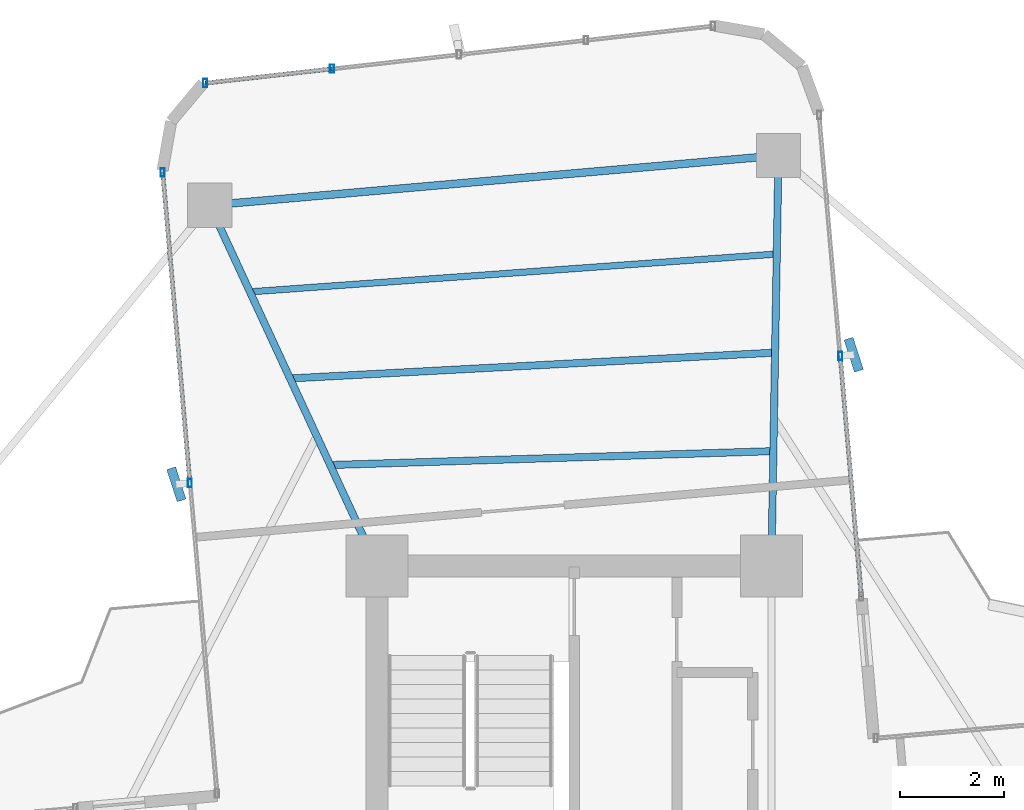
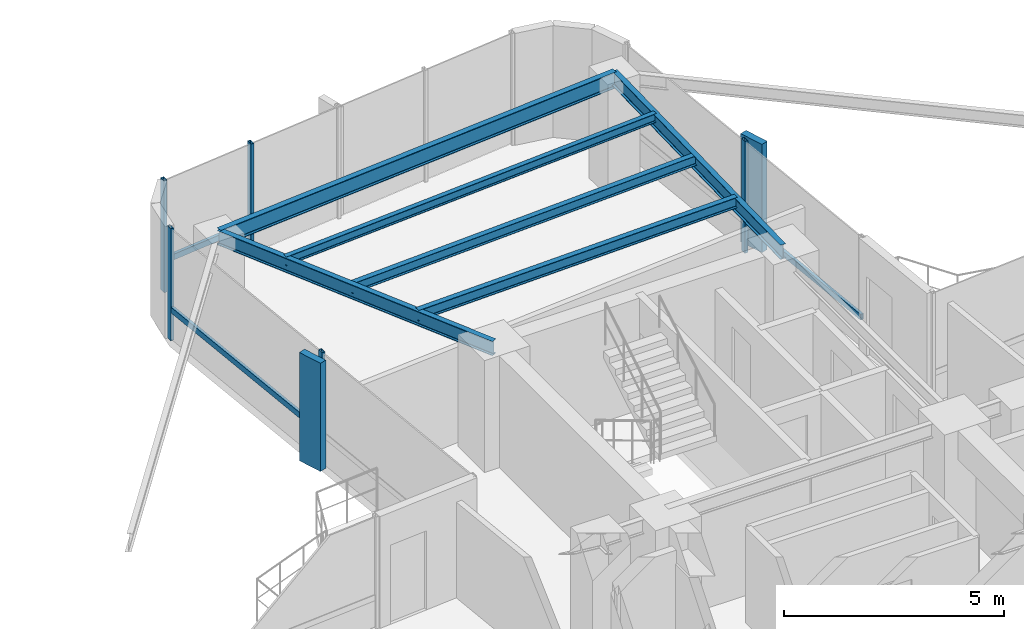
# One storey, part 16 of 24: 10 members, 6 beams, 3 elements without a shape of their own.
"""IFC4 building model written with IfcOpenShell, lengths in metres."""

import ifcopenshell
import ifcopenshell.guid

model = None  # the IFC model being written
_history = None  # IfcOwnerHistory: only IFC2X3 demands one
_inside = {}  # id of a spatial element -> (the spatial element, [elements in it])
_under = {}  # id of a project, library or spatial element -> (it, [spatial elements below it])
_declared = {}  # id of a project -> (the project, [libraries it declares])
_typed = {}  # id of a type object -> (the type object, [elements of that type])
_made_of = {}  # id of a material, layer set ... -> (it, [elements and type objects made of it])


def new_model(schema):
    """Start an empty IFC model of exactly this schema.

    Asked for "IFC4X3", IfcOpenShell would pick the latest addendum, in which some entities
    have other attributes; the version numbers below select the first issue.
    IFC2X3 requires an IfcOwnerHistory on every rooted entity: one is made here for all.
    """
    global model, _history
    if schema == "IFC4X3":
        model = ifcopenshell.file(schema_version=(4, 3, 0, 0))
    else:
        model = ifcopenshell.file(schema=schema)
    _inside.clear()
    _under.clear()
    _declared.clear()
    _typed.clear()
    _made_of.clear()
    _history = None
    if model.schema == "IFC2X3":
        org = make("IfcOrganization", Name="unknown")
        user = make(
            "IfcPersonAndOrganization",
            ThePerson=make("IfcPerson", FamilyName="unknown"),
            TheOrganization=org,
        )
        app = make(
            "IfcApplication",
            ApplicationDeveloper=org,
            Version="unknown",
            ApplicationFullName="unknown",
            ApplicationIdentifier="unknown",
        )
        _history = make(
            "IfcOwnerHistory",
            OwningUser=user,
            OwningApplication=app,
            ChangeAction="ADDED",
            CreationDate=0,
        )
    return model


def make(cls, **values):
    """One entity of the class cls with the attributes given. An attribute that is None is left unset."""
    return model.create_entity(
        cls, **{name: value for name, value in values.items() if value is not None}
    )


def rooted(cls, **values):
    """An entity with a GlobalId (a new one), such as an element, a storey or a relation."""
    return make(cls, GlobalId=ifcopenshell.guid.new(), OwnerHistory=_history, **values)


def si_unit(unit_type, name, prefix=None):
    """IfcSIUnit, for example si_unit("LENGTHUNIT", "METRE", prefix="MILLI")."""
    return make("IfcSIUnit", UnitType=unit_type, Prefix=prefix, Name=name)


def assignment(units):
    """IfcUnitAssignment: the units of a project."""
    return None if units is None else make("IfcUnitAssignment", Units=units)


def point(xyz):
    """IfcCartesianPoint."""
    return None if xyz is None else make("IfcCartesianPoint", Coordinates=xyz)


def direction(xyz):
    """IfcDirection."""
    return None if xyz is None else make("IfcDirection", DirectionRatios=xyz)


def frame(location, z_axis=None, x_axis=None):
    """IfcAxis2Placement3D, a coordinate frame: its origin and axes. An axis left out is left unset."""
    return make(
        "IfcAxis2Placement3D",
        Location=point(location),
        Axis=direction(z_axis),
        RefDirection=direction(x_axis),
    )


def frame_2d(location, x_axis=None):
    """IfcAxis2Placement2D, a coordinate frame in the plane: its origin and x axis."""
    return make(
        "IfcAxis2Placement2D", Location=point(location), RefDirection=direction(x_axis)
    )


def origin():
    """The frame at (0, 0, 0) with its axes left unset."""
    return frame((0.0, 0.0, 0.0))


def origin_2d():
    """The frame at (0, 0) in the plane with its x axis left unset."""
    return frame_2d((0.0, 0.0))


def place(relative_to, where):
    """IfcLocalPlacement: puts the frame where relative to a parent placement (None: the world)."""
    return make(
        "IfcLocalPlacement", PlacementRelTo=relative_to, RelativePlacement=where
    )


def context(
    kind, dimensions, precision=None, world=None, true_north=None, identifier=None
):
    """IfcGeometricRepresentationContext, for example the 3D "Model" context."""
    return make(
        "IfcGeometricRepresentationContext",
        ContextIdentifier=identifier,
        ContextType=kind,
        CoordinateSpaceDimension=dimensions,
        Precision=precision,
        WorldCoordinateSystem=world,
        TrueNorth=true_north,
    )


def subcontext(parent, identifier, kind, view, scale=None):
    """IfcGeometricRepresentationSubContext, for example "Body" below "Model"."""
    return make(
        "IfcGeometricRepresentationSubContext",
        ContextIdentifier=identifier,
        ContextType=kind,
        ParentContext=parent,
        TargetScale=scale,
        TargetView=view,
    )


def project(units=None, contexts=None):
    """IfcProject with its units and contexts."""
    return rooted(
        "IfcProject",
        Name="project",
        RepresentationContexts=contexts,
        UnitsInContext=assignment(units),
    )


def spatial(cls, under=None, at=None, **own):
    """A site, building, storey or space (cls), placed at a placement, below another one or the project."""
    s = rooted(cls, ObjectPlacement=at, **own)
    if under is not None:
        _under.setdefault(under.id(), (under, []))[1].append(s)
    return s


def profile(cls, at=None, kind="AREA", **sizes):
    """A parametric profile (cls). Its sizes go by their IFC names, for example OverallWidth=200.0."""
    return make(cls, ProfileType=kind, Position=at, **sizes)


def rectangle(**sizes):
    """IfcRectangleProfileDef."""
    return profile("IfcRectangleProfileDef", **sizes)


def hollow_rectangle(**sizes):
    """IfcRectangleHollowProfileDef."""
    return profile("IfcRectangleHollowProfileDef", **sizes)


def i_section(**sizes):
    """IfcIShapeProfileDef."""
    return profile("IfcIShapeProfileDef", **sizes)


def extrude(swept, where, along, depth):
    """IfcExtrudedAreaSolid: the profile swept, set in the frame where, extruded along a direction by depth."""
    return make(
        "IfcExtrudedAreaSolid",
        SweptArea=swept,
        Position=where,
        ExtrudedDirection=direction(along),
        Depth=depth,
    )


def shape(context_of_items, identifier, shape_type, items):
    """IfcShapeRepresentation: the items that make up one representation, for example the "Body"."""
    return make(
        "IfcShapeRepresentation",
        ContextOfItems=context_of_items,
        RepresentationIdentifier=identifier,
        RepresentationType=shape_type,
        Items=items,
    )


def source(mapping_origin, context_of_items, identifier, shape_type, items):
    """IfcRepresentationMap: a shape defined once, which mapped items show again and again."""
    return make(
        "IfcRepresentationMap",
        MappingOrigin=mapping_origin,
        MappedRepresentation=shape(context_of_items, identifier, shape_type, items),
    )


def transform(
    local_origin,
    x_axis=None,
    y_axis=None,
    z_axis=None,
    scale=None,
    scale2=None,
    scale3=None,
    uniform=True,
):
    """IfcCartesianTransformationOperator3D, or its non-uniform kind. x_axis, y_axis, z_axis: its Axis1, 2, 3."""
    if uniform:
        return make(
            "IfcCartesianTransformationOperator3D",
            Axis1=direction(x_axis),
            Axis2=direction(y_axis),
            LocalOrigin=point(local_origin),
            Scale=scale,
            Axis3=direction(z_axis),
        )
    return make(
        "IfcCartesianTransformationOperator3DnonUniform",
        Axis1=direction(x_axis),
        Axis2=direction(y_axis),
        LocalOrigin=point(local_origin),
        Scale=scale,
        Axis3=direction(z_axis),
        Scale2=scale2,
        Scale3=scale3,
    )


def mapped(mapping_source, mapping_target):
    """IfcMappedItem: shows the shape of a source again, moved by a transform."""
    return make(
        "IfcMappedItem", MappingSource=mapping_source, MappingTarget=mapping_target
    )


def material(Name=None, Category=None):
    """IfcMaterial."""
    return make("IfcMaterial", Name=Name, Category=Category)


def material_profile(
    of_material, cross_section, Name=None, Category=None, Priority=None
):
    """IfcMaterialProfile: a cross section and its material."""
    return make(
        "IfcMaterialProfile",
        Name=Name,
        Material=of_material,
        Profile=cross_section,
        Priority=Priority,
        Category=Category,
    )


def profile_set(profiles, Name=None, composite=None):
    """IfcMaterialProfileSet."""
    return make(
        "IfcMaterialProfileSet",
        Name=Name,
        MaterialProfiles=profiles,
        CompositeProfile=composite,
    )


def made_of(thing, what):
    """Note that an element or type object is made of a material, layer set ...; save() writes the relation."""
    if what is not None:
        _made_of.setdefault(what.id(), (what, []))[1].append(thing)
    return thing


def type_object(cls, material=None, **own):
    """A type object (cls), such as IfcWallType, which elements share."""
    return made_of(rooted(cls, **own), material)


def element(
    cls,
    number,
    at=None,
    inside=None,
    cuts=None,
    type_object=None,
    material=None,
    context=None,
    identifier="Body",
    shape_type=None,
    held_by="IfcProductDefinitionShape",
    body=None,
    shapes=None,
    **own,
):
    """One element of the class cls, such as IfcWall. Its Tag is "e" and its number.

    at: its placement. inside: the storey or other place that contains it. cuts: it is an
    opening in that element (IfcRelVoidsElement). A single representation is given by context,
    identifier, shape_type and body (its items); several are given by shapes. held_by: the class
    of the entity that holds the representations. save() writes the other relations.
    """
    e = rooted(cls, Tag="e%d" % number, ObjectPlacement=at, **own)
    if body is not None:
        shapes = [shape(context, identifier, shape_type, body)]
    if shapes is not None:
        e.Representation = make(held_by, Representations=shapes)
    if inside is not None:
        _inside.setdefault(inside.id(), (inside, []))[1].append(e)
    if cuts is not None:
        rooted(
            "IfcRelVoidsElement", RelatingBuildingElement=cuts, RelatedOpeningElement=e
        )
    if type_object is not None:
        _typed.setdefault(type_object.id(), (type_object, []))[1].append(e)
    return made_of(e, material)


def aggregate(whole, parts):
    """IfcRelAggregates: a whole, such as a stair, and the parts it consists of."""
    return rooted("IfcRelAggregates", RelatingObject=whole, RelatedObjects=parts)


def save(model, path):
    """Write the relations noted so far, then the file.

    IfcRelAggregates (storeys below a building ...), IfcRelContainedInSpatialStructure (elements
    in a storey), IfcRelDefinesByType, IfcRelAssociatesMaterial and IfcRelDeclares: one each for
    every whole, place, type object, material and project.
    """
    for whole, parts in _under.values():
        aggregate(whole, parts)
    for where, things in _inside.values():
        rooted(
            "IfcRelContainedInSpatialStructure",
            RelatedElements=things,
            RelatingStructure=where,
        )
    for kind, things in _typed.values():
        rooted("IfcRelDefinesByType", RelatedObjects=things, RelatingType=kind)
    for what, things in _made_of.values():
        rooted("IfcRelAssociatesMaterial", RelatedObjects=things, RelatingMaterial=what)
    for by, libraries in _declared.values():
        rooted("IfcRelDeclares", RelatingContext=by, RelatedDefinitions=libraries)
    model.write(path)


model = new_model("IFC4")

# Units and contexts
model_context = context("Model", 3, precision=1e-05, world=origin(), true_north=direction((0.0, 1.0)))
body_context = subcontext(model_context, "Body", "Model", "MODEL_VIEW")
ifc_project = project(units=[si_unit("LENGTHUNIT", "METRE"), si_unit("AREAUNIT", "SQUARE_METRE"), si_unit("VOLUMEUNIT", "CUBIC_METRE"), si_unit("PLANEANGLEUNIT", "RADIAN"), si_unit("MASSUNIT", "GRAM", prefix="KILO")], contexts=[model_context])

# Site, building, storey
site_placement = place(None, origin())
site = spatial("IfcSite", under=ifc_project, at=site_placement, CompositionType="ELEMENT")
building_placement = place(site_placement, origin())
building = spatial("IfcBuilding", under=site, at=building_placement, Name="Sahyath Konkavel Grand Hotel", CompositionType="ELEMENT")
storey_placement = place(building_placement, frame((0.0, 0.0, 185.25)))
storey = spatial("IfcBuildingStorey", under=building, at=storey_placement, Name="L51", CompositionType="ELEMENT", Elevation=185.25)

# Beams
ifc_material_1 = material(Name="Steel E350", Category="steel")
ifc_material_profile_1 = material_profile(ifc_material_1, i_section(OverallWidth=0.139892578125, OverallDepth=0.39990234375, WebThickness=0.0087890625, FlangeThickness=0.01611328125, FilletRadius=0.013916015625, at=origin_2d()), Name="ISMB 400")
ifc_profile_set_1 = profile_set([ifc_material_profile_1], Name="Steel E350")
beam_type_1 = type_object("IfcBeamType", Name="BM-ISMB400", PredefinedType="BEAM", material=ifc_profile_set_1)
shared_shape_1 = source(origin(), body_context, "Body", "SweptSolid", [
    extrude(i_section(OverallWidth=0.139892578125, OverallDepth=0.39990234375, WebThickness=0.0087890625, FlangeThickness=0.01611328125, FilletRadius=0.013916015625, at=origin_2d()), origin(), (0.0, 0.0, 1.0), 7.913330078125),
])
beam_1_placement = place(storey_placement, frame((3.800048828125, 10.199951171875, 2.909912109375), z_axis=(0.017215419232, 0.999851803689, 0.0), x_axis=(-0.999851803689, 0.017215419232, 0.0)))
element("IfcBeam", 1, at=beam_1_placement, inside=storey, type_object=beam_type_1, Name="L51 Cruciform Radial Girder NA", PredefinedType="BEAM", context=body_context, shape_type="MappedRepresentation", body=[
    mapped(shared_shape_1, transform((0.0, 0.0, 0.0), scale=1.0)),
])
shared_shape_2 = source(origin(), body_context, "Body", "SweptSolid", [
    extrude(i_section(OverallWidth=0.139892578125, OverallDepth=0.39990234375, WebThickness=0.0087890625, FlangeThickness=0.01611328125, FilletRadius=0.013916015625, at=origin_2d()), origin(), (0.0, 0.0, 1.0), 7.66357421875),
])
beam_2_placement = place(storey_placement, frame((-3.800048828125, 10.199951171875, 2.909912109375), z_axis=(-0.420395127561, 0.907341135804, 0.0), x_axis=(-0.907341135804, -0.420395127561, 0.0)))
element("IfcBeam", 2, at=beam_2_placement, inside=storey, type_object=beam_type_1, Name="L51 Cruciform Radial Girder NB", PredefinedType="BEAM", context=body_context, shape_type="MappedRepresentation", body=[
    mapped(shared_shape_2, transform((0.0, 0.0, 0.0), scale=1.0)),
])
ifc_material_profile_2 = material_profile(ifc_material_1, i_section(OverallWidth=0.14990234375, OverallDepth=0.449951171875, WebThickness=0.009521484375, FlangeThickness=0.017333984375, FilletRadius=0.014892578125, at=origin_2d()), Name="ISMB 450")
ifc_profile_set_2 = profile_set([ifc_material_profile_2], Name="Steel E350")
beam_type_2 = type_object("IfcBeamType", Name="BM-ISMB450", PredefinedType="BEAM", material=ifc_profile_set_2)
shared_shape_3 = source(origin(), body_context, "Body", "SweptSolid", [
    extrude(i_section(OverallWidth=0.14990234375, OverallDepth=0.449951171875, WebThickness=0.009521484375, FlangeThickness=0.017333984375, FilletRadius=0.014892578125, at=origin_2d()), origin(), (0.0, 0.0, 1.0), 10.999755859375),
])
beam_3_placement = place(storey_placement, frame((3.936279296875, 18.112060546875, 2.885009765625), z_axis=(-0.99619439202, -0.087159241098, 0.0), x_axis=(0.087159241098, -0.99619439202, 0.0)))
element("IfcBeam", 3, at=beam_3_placement, inside=storey, type_object=beam_type_2, Name="L51 Wing Tip Edge Beam N", PredefinedType="BEAM", context=body_context, shape_type="MappedRepresentation", body=[
    mapped(shared_shape_3, transform((0.0, 0.0, 0.0), scale=1.0)),
])
ifc_material_profile_3 = material_profile(ifc_material_1, i_section(OverallWidth=0.139892578125, OverallDepth=0.300048828125, WebThickness=0.0078125, FlangeThickness=0.01318359375, FilletRadius=0.013916015625, at=origin_2d()), Name="ISMB 300")
ifc_profile_set_3 = profile_set([ifc_material_profile_3], Name="Steel E350")
beam_type_3 = type_object("IfcBeamType", Name="BM-ISMB300", PredefinedType="BEAM", material=ifc_profile_set_3)
shared_shape_4 = source(origin(), body_context, "Body", "SweptSolid", [
    extrude(i_section(OverallWidth=0.139892578125, OverallDepth=0.300048828125, WebThickness=0.0078125, FlangeThickness=0.01318359375, FilletRadius=0.013916015625, at=origin_2d()), origin(), (0.0, 0.0, 1.0), 8.54443359375),
])
beam_4_placement = place(storey_placement, frame((3.838134765625, 12.415283203125, 2.9599609375), z_axis=(-0.999506849365, -0.031401561632, 0.0), x_axis=(0.031401561632, -0.999506849365, 0.0)))
element("IfcBeam", 4, at=beam_4_placement, inside=storey, type_object=beam_type_3, Name="L51 Secondary Floor Beam N-1", PredefinedType="BEAM", context=body_context, shape_type="MappedRepresentation", body=[
    mapped(shared_shape_4, transform((0.0, 0.0, 0.0), scale=1.0)),
])
ifc_material_profile_4 = material_profile(ifc_material_1, i_section(OverallWidth=0.139892578125, OverallDepth=0.27490234375, WebThickness=0.00634765625, FlangeThickness=0.0087890625, FilletRadius=0.012939453125, at=origin_2d()), Name="ISLB 275")
ifc_profile_set_4 = profile_set([ifc_material_profile_4], Name="Steel E350")
beam_type_4 = type_object("IfcBeamType", Name="BM-ISLB275", PredefinedType="BEAM", material=ifc_profile_set_4)
shared_shape_5 = source(origin(), body_context, "Body", "SweptSolid", [
    extrude(i_section(OverallWidth=0.139892578125, OverallDepth=0.27490234375, WebThickness=0.00634765625, FlangeThickness=0.0087890625, FilletRadius=0.012939453125, at=origin_2d()), origin(), (0.0, 0.0, 1.0), 9.359375),
])
beam_5_placement = place(storey_placement, frame((3.870849609375, 14.314208984375, 2.972412109375), z_axis=(-0.998580397723, -0.053265272769, 0.0), x_axis=(0.053265272769, -0.998580397723, 0.0)))
element("IfcBeam", 5, at=beam_5_placement, inside=storey, type_object=beam_type_4, Name="L51 Secondary Floor Beam N-2", PredefinedType="BEAM", context=body_context, shape_type="MappedRepresentation", body=[
    mapped(shared_shape_5, transform((0.0, 0.0, 0.0), scale=1.0)),
])
ifc_material_profile_5 = material_profile(ifc_material_1, i_section(OverallWidth=0.125, OverallDepth=0.25, WebThickness=0.0068359375, FlangeThickness=0.012451171875, FilletRadius=0.012939453125, at=origin_2d()), Name="ISMB 250")
ifc_profile_set_5 = profile_set([ifc_material_profile_5], Name="Steel E350")
beam_type_5 = type_object("IfcBeamType", Name="BM-ISMB250", PredefinedType="BEAM", material=ifc_profile_set_5)
shared_shape_6 = source(origin(), body_context, "Body", "SweptSolid", [
    extrude(i_section(OverallWidth=0.125, OverallDepth=0.25, WebThickness=0.0068359375, FlangeThickness=0.012451171875, FilletRadius=0.012939453125, at=origin_2d()), origin(), (0.0, 0.0, 1.0), 10.178466796875),
])
beam_6_placement = place(storey_placement, frame((3.90380859375, 16.213134765625, 2.985107421875), z_axis=(-0.997435268886, -0.071574327683, 0.0), x_axis=(0.071574327683, -0.997435268886, 0.0)))
element("IfcBeam", 6, at=beam_6_placement, inside=storey, type_object=beam_type_5, Name="L51 Secondary Floor Beam N-3", PredefinedType="BEAM", context=body_context, shape_type="MappedRepresentation", body=[
    mapped(shared_shape_6, transform((0.0, 0.0, 0.0), scale=1.0)),
])

# Curtain wall, member
ifc_material_2 = material(Name="Anodised Bronze Aluminium & Low-E Glazing", Category="aluminium")
curtain_wall_type = type_object("IfcCurtainWallType", Name="CW-ZONE3", PredefinedType="NOTDEFINED", material=ifc_material_2)
curtain_wall_1_placement = place(storey_placement, origin())
curtain_wall_1 = element("IfcCurtainWall", 7, at=curtain_wall_1_placement, inside=storey, type_object=curtain_wall_type, Name="L51 Unitised Curtain Wall F8", PredefinedType="NOTDEFINED")
ifc_material_3 = material(Name="Warm Buff Sandstone Cladding on Concrete C50/60", Category="masonry")
ifc_material_profile_6 = material_profile(ifc_material_3, rectangle(XDim=0.179931640625, YDim=0.64990234375, at=origin_2d()), Name="FIN 180x650")
ifc_profile_set_6 = profile_set([ifc_material_profile_6], Name="Warm Buff Sandstone Cladding on Concrete C50/60")
member_type_1 = type_object("IfcMemberType", Name="FIN-SANDSTONE-650", PredefinedType="MULLION", material=ifc_profile_set_6)
shared_shape_7 = source(origin(), body_context, "Body", "SweptSolid", [
    extrude(rectangle(XDim=0.179931640625, YDim=0.64990234375, at=origin_2d()), origin(), (0.0, 0.0, 1.0), 3.010009765625),
])
member_1_placement = place(storey_placement, frame((5.386474609375, 14.273681640625, 0.050048828125), z_axis=(0.0, 0.0, 1.0), x_axis=(0.951272019071, 0.30835295642, 0.0)))
member_1 = element("IfcMember", 8, at=member_1_placement, type_object=member_type_1, Name="L51 Sandstone Vertical Solar Fin FIN F8-1", PredefinedType="MULLION", context=body_context, shape_type="MappedRepresentation", body=[
    mapped(shared_shape_7, transform((0.0, 0.0, 0.0), scale=1.0)),
])

curtain_wall_2_placement = place(storey_placement, origin())
curtain_wall_2 = element("IfcCurtainWall", 9, at=curtain_wall_2_placement, inside=storey, type_object=curtain_wall_type, Name="L51 Unitised Curtain Wall F15", PredefinedType="NOTDEFINED")
member_2_placement = place(storey_placement, frame((-7.66552734375, 11.776611328125, 0.050048828125), z_axis=(0.0, 0.0, 1.0), x_axis=(0.951272019071, 0.30835295642, 0.0)))
member_2 = element("IfcMember", 10, at=member_2_placement, type_object=member_type_1, Name="L51 Sandstone Vertical Solar Fin FIN F15-1", PredefinedType="MULLION", context=body_context, shape_type="MappedRepresentation", body=[
    mapped(shared_shape_7, transform((0.0, 0.0, 0.0), scale=1.0)),
])

# Member
ifc_material_4 = material(Name="Anodised Bronze Aluminium", Category="aluminium")
ifc_material_profile_7 = material_profile(ifc_material_4, hollow_rectangle(XDim=0.080078125, YDim=0.159912109375, WallThickness=0.006103515625, at=origin_2d()), Name="RHS 160x80x6")
ifc_profile_set_7 = profile_set([ifc_material_profile_7], Name="Anodised Bronze Aluminium")
member_type_2 = type_object("IfcMemberType", Name="CW-MUL-160", PredefinedType="MULLION", material=ifc_profile_set_7)
shared_shape_8 = source(origin(), body_context, "Body", "SweptSolid", [
    extrude(hollow_rectangle(XDim=0.080078125, YDim=0.159912109375, WallThickness=0.006103515625, at=origin_2d()), origin(), (0.0, 0.0, 1.0), 3.110107421875),
])
member_3_placement = place(storey_placement, frame((5.12744140625, 14.251220703125, 0.0), z_axis=(0.0, 0.0, 1.0), x_axis=(1.0, 0.0, 0.0)))
member_3 = element("IfcMember", 11, at=member_3_placement, type_object=member_type_2, Name="L51 Curtain Wall Mullion F8-1", PredefinedType="MULLION", context=body_context, shape_type="MappedRepresentation", body=[
    mapped(shared_shape_8, transform((0.0, 0.0, 0.0), scale=1.0)),
])

# Curtain wall, members
curtain_wall_3_placement = place(storey_placement, origin())
curtain_wall_3 = element("IfcCurtainWall", 12, at=curtain_wall_3_placement, inside=storey, type_object=curtain_wall_type, Name="L51 Unitised Curtain Wall F12", PredefinedType="NOTDEFINED")
member_4_placement = place(storey_placement, frame((-4.665771484375, 19.783203125, 0.0), z_axis=(0.0, 0.0, 1.0), x_axis=(1.0, 0.0, 0.0)))
member_4 = element("IfcMember", 13, at=member_4_placement, type_object=member_type_2, Name="L51 Curtain Wall Mullion F12-3", PredefinedType="MULLION", context=body_context, shape_type="MappedRepresentation", body=[
    mapped(shared_shape_8, transform((0.0, 0.0, 0.0), scale=1.0)),
])
member_5_placement = place(storey_placement, frame((-7.1123046875, 19.507568359375, 0.0), z_axis=(0.0, 0.0, 1.0), x_axis=(1.0, 0.0, 0.0)))
member_5 = element("IfcMember", 14, at=member_5_placement, type_object=member_type_2, Name="L51 Curtain Wall Mullion F12-4", PredefinedType="MULLION", context=body_context, shape_type="MappedRepresentation", body=[
    mapped(shared_shape_8, transform((0.0, 0.0, 0.0), scale=1.0)),
])

# Member
member_6_placement = place(storey_placement, frame((-7.930419921875, 17.78662109375, 0.0), z_axis=(0.0, 0.0, 1.0), x_axis=(1.0, 0.0, 0.0)))
member_6 = element("IfcMember", 15, at=member_6_placement, type_object=member_type_2, Name="L51 Curtain Wall Mullion F15-0", PredefinedType="MULLION", context=body_context, shape_type="MappedRepresentation", body=[
    mapped(shared_shape_8, transform((0.0, 0.0, 0.0), scale=1.0)),
])

member_7_placement = place(storey_placement, frame((-7.406494140625, 11.79931640625, 0.0), z_axis=(0.0, 0.0, 1.0), x_axis=(1.0, 0.0, 0.0)))
member_7 = element("IfcMember", 16, at=member_7_placement, type_object=member_type_2, Name="L51 Curtain Wall Mullion F15-1", PredefinedType="MULLION", context=body_context, shape_type="MappedRepresentation", body=[
    mapped(shared_shape_8, transform((0.0, 0.0, 0.0), scale=1.0)),
])

ifc_material_profile_8 = material_profile(ifc_material_4, hollow_rectangle(XDim=0.080078125, YDim=0.159912109375, WallThickness=0.006103515625, at=origin_2d()), Name="RHS 160x80x6")
ifc_profile_set_8 = profile_set([ifc_material_profile_8], Name="Anodised Bronze Aluminium")
member_type_3 = type_object("IfcMemberType", Name="CW-TRN-160", PredefinedType="USERDEFINED", material=ifc_profile_set_8)
shared_shape_9 = source(origin(), body_context, "Body", "SweptSolid", [
    extrude(hollow_rectangle(XDim=0.080078125, YDim=0.159912109375, WallThickness=0.006103515625, at=origin_2d()), origin(), (0.0, 0.0, 1.0), 4.66015625),
])
member_8_placement = place(storey_placement, frame((5.53369140625, 9.60888671875, 0.85009765625), z_axis=(-0.087176698736, 0.996192864458, 0.0), x_axis=(-0.996192864458, -0.087176698736, 0.0)))
member_8 = element("IfcMember", 17, at=member_8_placement, type_object=member_type_3, Name="L51 Curtain Wall Transom F8-0-spandrel", ObjectType="TRANSOM", PredefinedType="USERDEFINED", context=body_context, shape_type="MappedRepresentation", body=[
    mapped(shared_shape_9, transform((0.0, 0.0, 0.0), scale=1.0)),
])

aggregate(curtain_wall_1, [member_3, member_1, member_8])

shared_shape_10 = source(origin(), body_context, "Body", "SweptSolid", [
    extrude(hollow_rectangle(XDim=0.080078125, YDim=0.159912109375, WallThickness=0.006103515625, at=origin_2d()), origin(), (0.0, 0.0, 1.0), 2.4619140625),
])
member_9_placement = place(storey_placement, frame((-4.665771484375, 19.783203125, 0.85009765625), z_axis=(-0.993713263833, -0.111955121731, 0.0), x_axis=(0.111955121731, -0.993713263833, 0.0)))
member_9 = element("IfcMember", 18, at=member_9_placement, type_object=member_type_3, Name="L51 Curtain Wall Transom F12-3-spandrel", ObjectType="TRANSOM", PredefinedType="USERDEFINED", context=body_context, shape_type="MappedRepresentation", body=[
    mapped(shared_shape_10, transform((0.0, 0.0, 0.0), scale=1.0)),
])

aggregate(curtain_wall_3, [member_4, member_5, member_9])

shared_shape_11 = source(origin(), body_context, "Body", "SweptSolid", [
    extrude(hollow_rectangle(XDim=0.080078125, YDim=0.159912109375, WallThickness=0.006103515625, at=origin_2d()), origin(), (0.0, 0.0, 1.0), 6.01025390625),
])
member_10_placement = place(storey_placement, frame((-7.930419921875, 17.78662109375, 0.85009765625), z_axis=(0.087172997156, -0.996193188376, 0.0), x_axis=(0.996193188376, 0.087172997156, 0.0)))
member_10 = element("IfcMember", 19, at=member_10_placement, type_object=member_type_3, Name="L51 Curtain Wall Transom F15-0-spandrel", ObjectType="TRANSOM", PredefinedType="USERDEFINED", context=body_context, shape_type="MappedRepresentation", body=[
    mapped(shared_shape_11, transform((0.0, 0.0, 0.0), scale=1.0)),
])

aggregate(curtain_wall_2, [member_6, member_7, member_2, member_10])

save(model, "model.ifc")
